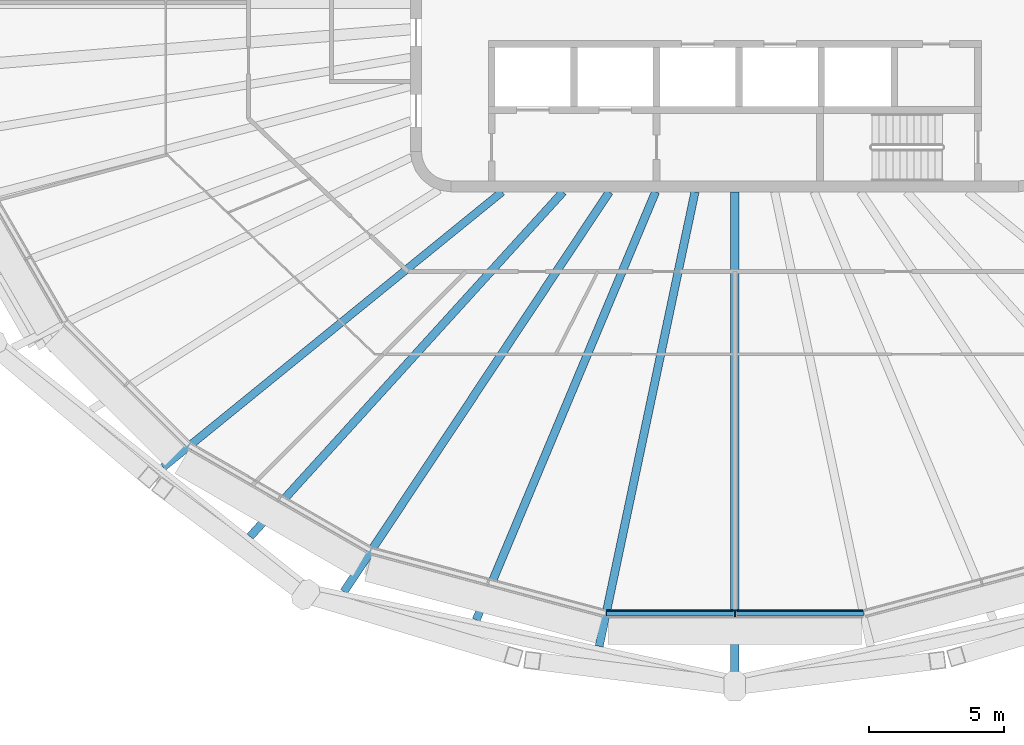
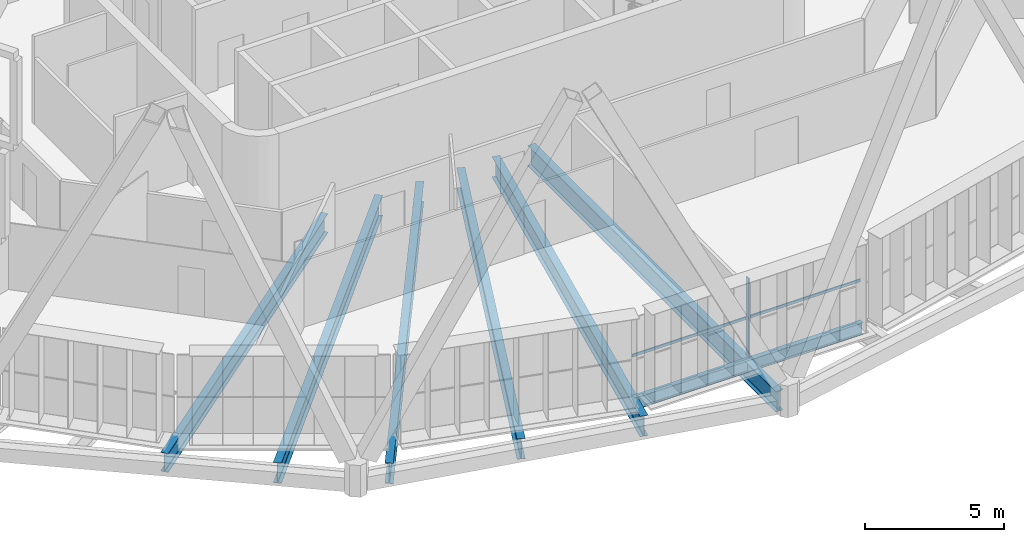
# One storey, part 2 of 22: 7 beams, 2 members, 1 element without a shape of its own.
"""IFC4 building model written with IfcOpenShell, lengths in metres."""

from ifc_helpers import new_model, si_unit, direction, frame, origin, origin_2d, place, context, subcontext, project, spatial, rectangle, i_section, extrude, material, layer, layer_set, material_profile, profile_set, type_object, element, aggregate, save


model = new_model("IFC4")

# Units and contexts
model_context = context("Model", 3, precision=1e-05, world=origin(), true_north=direction((0.0, 1.0)))
body_context = subcontext(model_context, "Body", "Model", "MODEL_VIEW")
ifc_project = project(units=[si_unit("LENGTHUNIT", "METRE"), si_unit("AREAUNIT", "SQUARE_METRE"), si_unit("VOLUMEUNIT", "CUBIC_METRE"), si_unit("PLANEANGLEUNIT", "RADIAN"), si_unit("MASSUNIT", "GRAM", prefix="KILO")], contexts=[model_context])

# Site, building, storey
site_placement = place(None, origin())
site = spatial("IfcSite", under=ifc_project, at=site_placement, CompositionType="ELEMENT")
building_placement = place(site_placement, origin())
building = spatial("IfcBuilding", under=site, at=building_placement, Name="Sahrelin Media Tower", CompositionType="ELEMENT")
storey_placement = place(building_placement, frame((0.0, 0.0, 283.0)))
storey = spatial("IfcBuildingStorey", under=building, at=storey_placement, Name="L62", CompositionType="ELEMENT", Elevation=283.0)

# Beam
ifc_material_1 = material(Name="Steel S355", Category="steel")
ifc_material_profile_1 = material_profile(ifc_material_1, i_section(OverallWidth=0.208740234375, OverallDepth=0.5283203125, WebThickness=0.009521484375, FlangeThickness=0.01318359375, FilletRadius=0.0126953125, at=origin_2d()), Name="UB 533x210x82")
ifc_profile_set_1 = profile_set([ifc_material_profile_1], Name="Steel S355")
beam_type_1 = type_object("IfcBeamType", Name="Edge beam EB6", PredefinedType="BEAM", material=ifc_profile_set_1)
beam_1_placement = place(storey_placement, frame((4.758056640625, -22.587646484375, -0.4140625), z_axis=(-1.0, 0.0, 0.0), x_axis=(0.0, -1.0, 0.0)))
element("IfcBeam", 1, at=beam_1_placement, inside=storey, type_object=beam_type_1, Name="Edge beam L62-07", PredefinedType="BEAM", context=body_context, shape_type="SweptSolid", body=[
    extrude(i_section(OverallWidth=0.208740234375, OverallDepth=0.5283203125, WebThickness=0.009521484375, FlangeThickness=0.01318359375, FilletRadius=0.0126953125, at=origin_2d()), origin(), (0.0, 0.0, 1.0), 9.51611328125),
])

# Curtain wall, member
ifc_material_2 = material(Name="Champagne anodised aluminium 6063-T6", Category="aluminium")
ifc_layer = layer(ifc_material_2, 0.14990234375)
ifc_layer_set = layer_set([ifc_layer], Name="Tower ribbon curtain wall")
curtain_wall_type = type_object("IfcCurtainWallType", Name="Tower ribbon curtain wall", PredefinedType="NOTDEFINED", material=ifc_layer_set)
curtain_wall_placement = place(storey_placement, frame((0.0, -22.73779296875, 0.0), z_axis=(0.0, 0.0, 1.0), x_axis=(1.0, 0.0, 0.0)))
curtain_wall = element("IfcCurtainWall", 2, at=curtain_wall_placement, inside=storey, type_object=curtain_wall_type, Name="L62:CW:L62-18", PredefinedType="NOTDEFINED")
ifc_material_profile_2 = material_profile(ifc_material_2, rectangle(XDim=0.06005859375, YDim=0.199951171875, at=origin_2d()), Name="Mullion 60x200")
ifc_profile_set_2 = profile_set([ifc_material_profile_2], Name="Champagne anodised aluminium 6063-T6")
member_type_1 = type_object("IfcMemberType", Name="Mullion 60x200 CW1C", PredefinedType="MULLION", material=ifc_profile_set_2)
member_1_placement = place(storey_placement, frame((0.0, -22.61767578125, 0.0), z_axis=(0.0, 0.0, 1.0), x_axis=(1.0, 0.0, 0.0)))
member_1 = element("IfcMember", 3, at=member_1_placement, type_object=member_type_1, Name="L62:CWM:L62-18", PredefinedType="MULLION", context=body_context, shape_type="SweptSolid", body=[
    extrude(rectangle(XDim=0.06005859375, YDim=0.199951171875, at=origin_2d()), origin(), (0.0, 0.0, 1.0), 3.448486328125),
])

# Beams
ifc_material_profile_3 = material_profile(ifc_material_1, i_section(OverallWidth=0.291748046875, OverallDepth=0.8349609375, WebThickness=0.013916015625, FlangeThickness=0.018798828125, FilletRadius=0.017822265625, at=origin_2d()), Name="UB 838x292x176")
ifc_profile_set_3 = profile_set([ifc_material_profile_3], Name="Steel S355")
beam_type_2 = type_object("IfcBeamType", Name="Radial primary beam PB10", PredefinedType="BEAM", material=ifc_profile_set_3)
beam_2_placement = place(storey_placement, frame((-8.614501953125, -7.0, -0.5673828125), z_axis=(-0.776084892008, -0.630628448769, 0.0), x_axis=(0.630628448769, -0.776084892008, 0.0)))
element("IfcBeam", 4, at=beam_2_placement, inside=storey, type_object=beam_type_2, Name="Radial beam L62-16", PredefinedType="BEAM", context=body_context, shape_type="SweptSolid", body=[
    extrude(i_section(OverallWidth=0.291748046875, OverallDepth=0.8349609375, WebThickness=0.013916015625, FlangeThickness=0.018798828125, FilletRadius=0.017822265625, at=origin_2d()), origin(), (0.0, 0.0, 1.0), 16.163330078125),
])
ifc_material_profile_4 = material_profile(ifc_material_1, i_section(OverallWidth=0.30322265625, OverallDepth=0.903076171875, WebThickness=0.01513671875, FlangeThickness=0.020263671875, FilletRadius=0.01904296875, at=origin_2d()), Name="UB 914x305x201")
ifc_profile_set_4 = profile_set([ifc_material_profile_4], Name="Steel S355")
beam_type_3 = type_object("IfcBeamType", Name="Radial primary beam PB11", PredefinedType="BEAM", material=ifc_profile_set_4)
beam_3_placement = place(storey_placement, frame((-4.645263671875, -7.0, -0.6015625), z_axis=(-0.552932146069, -0.833226284897, 0.0), x_axis=(0.833226284897, -0.552932146069, 0.0)))
element("IfcBeam", 5, at=beam_3_placement, inside=storey, type_object=beam_type_3, Name="Radial beam L62-17", PredefinedType="BEAM", context=body_context, shape_type="SweptSolid", body=[
    extrude(i_section(OverallWidth=0.30322265625, OverallDepth=0.903076171875, WebThickness=0.01513671875, FlangeThickness=0.020263671875, FilletRadius=0.01904296875, at=origin_2d()), origin(), (0.0, 0.0, 1.0), 17.76171875),
])
beam_4_placement = place(storey_placement, frame((-1.475341796875, -7.0, -0.6015625), z_axis=(-0.206228140051, -0.978503936758, 0.0), x_axis=(0.978503936758, -0.206228140051, 0.0)))
element("IfcBeam", 6, at=beam_4_placement, inside=storey, type_object=beam_type_3, Name="Radial beam L62-18", PredefinedType="BEAM", context=body_context, shape_type="SweptSolid", body=[
    extrude(i_section(OverallWidth=0.30322265625, OverallDepth=0.903076171875, WebThickness=0.01513671875, FlangeThickness=0.020263671875, FilletRadius=0.01904296875, at=origin_2d()), origin(), (0.0, 0.0, 1.0), 17.1845703125),
])
ifc_material_profile_5 = material_profile(ifc_material_1, i_section(OverallWidth=0.30322265625, OverallDepth=0.903076171875, WebThickness=0.01513671875, FlangeThickness=0.020263671875, FilletRadius=0.01904296875, at=origin_2d()), Name="UB 914x305x201")
ifc_profile_set_5 = profile_set([ifc_material_profile_5], Name="Steel S355")
beam_type_4 = type_object("IfcBeamType", Name="Radial secondary beam SB11", PredefinedType="BEAM", material=ifc_profile_set_5)
beam_5_placement = place(storey_placement, frame((-6.355224609375, -7.0, -0.6015625), z_axis=(-0.672188169789, -0.740380351168, 0.0), x_axis=(0.740380351168, -0.672188169789, 0.0)))
element("IfcBeam", 7, at=beam_5_placement, inside=storey, type_object=beam_type_4, Name="Secondary beam L62-16", PredefinedType="BEAM", context=body_context, shape_type="SweptSolid", body=[
    extrude(i_section(OverallWidth=0.30322265625, OverallDepth=0.903076171875, WebThickness=0.01513671875, FlangeThickness=0.020263671875, FilletRadius=0.01904296875, at=origin_2d()), origin(), (0.0, 0.0, 1.0), 17.2314453125),
])
beam_6_placement = place(storey_placement, frame((-2.93310546875, -7.0, -0.6015625), z_axis=(-0.386479475231, -0.922298007818, 0.0), x_axis=(0.922298007818, -0.386479475231, 0.0)))
element("IfcBeam", 8, at=beam_6_placement, inside=storey, type_object=beam_type_4, Name="Secondary beam L62-17", PredefinedType="BEAM", context=body_context, shape_type="SweptSolid", body=[
    extrude(i_section(OverallWidth=0.30322265625, OverallDepth=0.903076171875, WebThickness=0.01513671875, FlangeThickness=0.020263671875, FilletRadius=0.01904296875, at=origin_2d()), origin(), (0.0, 0.0, 1.0), 17.178466796875),
])
beam_7_placement = place(storey_placement, frame((0.0, -7.0, -0.6015625), z_axis=(0.0, -1.0, 0.0), x_axis=(1.0, 0.0, 0.0)))
element("IfcBeam", 9, at=beam_7_placement, inside=storey, type_object=beam_type_4, Name="Secondary beam L62-18", PredefinedType="BEAM", context=body_context, shape_type="SweptSolid", body=[
    extrude(i_section(OverallWidth=0.30322265625, OverallDepth=0.903076171875, WebThickness=0.01513671875, FlangeThickness=0.020263671875, FilletRadius=0.01904296875, at=origin_2d()), origin(), (0.0, 0.0, 1.0), 17.88623046875),
])

# Member
ifc_material_profile_6 = material_profile(ifc_material_2, rectangle(XDim=0.050048828125, YDim=0.1201171875, at=origin_2d()), Name="Transom 50x120")
ifc_profile_set_6 = profile_set([ifc_material_profile_6], Name="Champagne anodised aluminium 6063-T6")
member_type_2 = type_object("IfcMemberType", Name="Transom 50x120 CW1C", PredefinedType="USERDEFINED", material=ifc_profile_set_6)
member_2_placement = place(storey_placement, frame((-4.7421875, -22.49267578125, 1.60009765625), z_axis=(1.0, 0.0, 0.0), x_axis=(0.0, 1.0, 0.0)))
member_2 = element("IfcMember", 10, at=member_2_placement, type_object=member_type_2, Name="L62:CWT:L62-18", ObjectType="TRANSOM", PredefinedType="USERDEFINED", context=body_context, shape_type="SweptSolid", body=[
    extrude(rectangle(XDim=0.050048828125, YDim=0.1201171875, at=origin_2d()), origin(), (0.0, 0.0, 1.0), 9.484375),
])

aggregate(curtain_wall, [member_1, member_2])

save(model, "model.ifc")
